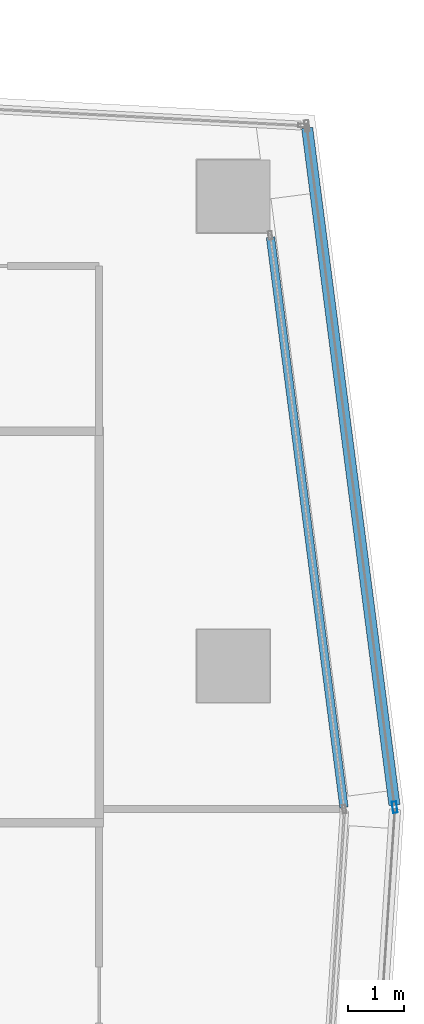
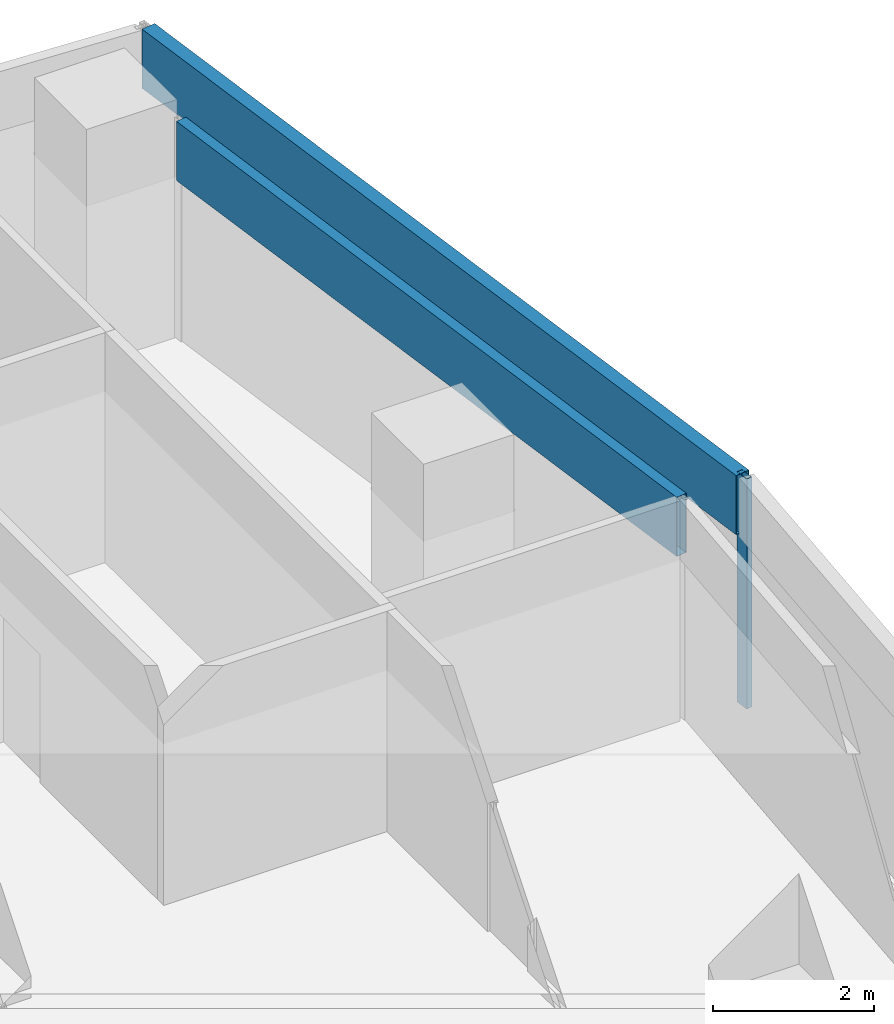
# One storey, part 14 of 30: 3 members, 2 elements without a shape of their own.
"""IFC4 building model written with IfcOpenShell, lengths in metres."""

from ifc_helpers import new_model, si_unit, direction, frame, origin, origin_2d, place, context, subcontext, project, spatial, hollow_rectangle, extrude, material, material_profile, profile_set, type_object, element, aggregate, save


model = new_model("IFC4")

# Units and contexts
model_context = context("Model", 3, precision=1e-05, world=origin(), true_north=direction((0.0, 1.0)))
body_context = subcontext(model_context, "Body", "Model", "MODEL_VIEW")
ifc_project = project(units=[si_unit("LENGTHUNIT", "METRE"), si_unit("AREAUNIT", "SQUARE_METRE"), si_unit("VOLUMEUNIT", "CUBIC_METRE"), si_unit("PLANEANGLEUNIT", "RADIAN"), si_unit("MASSUNIT", "GRAM", prefix="KILO")], contexts=[model_context])

# Site, building, storey
site_placement = place(None, origin())
site = spatial("IfcSite", under=ifc_project, at=site_placement, CompositionType="ELEMENT")
building_placement = place(site_placement, origin())
building = spatial("IfcBuilding", under=site, at=building_placement, Name="Rekha Terrace Tower", CompositionType="ELEMENT")
storey_placement = place(building_placement, frame((0.0, 0.0, 272.60009765625)))
storey = spatial("IfcBuildingStorey", under=building, at=storey_placement, Name="L69", CompositionType="ELEMENT", Elevation=272.60009765625)

# Curtain wall, member
ifc_material_1 = material(Name="Aluminium framing", Category="aluminium")
curtain_wall_type_1 = type_object("IfcCurtainWallType", Name="CW1 double skin inner glazing", PredefinedType="USERDEFINED", material=ifc_material_1)
curtain_wall_1_placement = place(storey_placement, origin())
curtain_wall_1 = element("IfcCurtainWall", 1, at=curtain_wall_1_placement, inside=storey, type_object=curtain_wall_type_1, Name="CW1 double skin inner glazing", ObjectType="DOUBLE SKIN INNER GLAZING", PredefinedType="USERDEFINED")
ifc_material_2 = material(Name="Insulated aluminium spandrel box", Category="aluminium")
ifc_material_profile_1 = material_profile(ifc_material_2, hollow_rectangle(XDim=0.14990234375, YDim=0.89990234375, WallThickness=0.0029296875, at=origin_2d()), Name="AL SPANDREL BOX 150x900")
ifc_profile_set_1 = profile_set([ifc_material_profile_1], Name="Insulated aluminium spandrel box")
member_type_1 = type_object("IfcMemberType", Name="CW1 spandrel transom 150 x 900", PredefinedType="USERDEFINED", material=ifc_profile_set_1)
member_1_placement = place(storey_placement, frame((60.777099609375, 39.471435546875, 3.0498046875), z_axis=(-0.127854523912, 0.991792932378, 0.0), x_axis=(-0.991792932378, -0.127854523912, 0.0)))
member_1 = element("IfcMember", 2, at=member_1_placement, type_object=member_type_1, Name="CW1 spandrel transom 1", ObjectType="TRANSOM", PredefinedType="USERDEFINED", context=body_context, shape_type="SweptSolid", body=[
    extrude(hollow_rectangle(XDim=0.14990234375, YDim=0.89990234375, WallThickness=0.0029296875, at=origin_2d()), origin(), (0.0, 0.0, 1.0), 10.279052734375),
])
aggregate(curtain_wall_1, [member_1])

# Curtain wall, members
curtain_wall_type_2 = type_object("IfcCurtainWallType", Name="CW2 double skin outer glazing", PredefinedType="USERDEFINED", material=ifc_material_1)
curtain_wall_2_placement = place(storey_placement, origin())
curtain_wall_2 = element("IfcCurtainWall", 3, at=curtain_wall_2_placement, inside=storey, type_object=curtain_wall_type_2, Name="CW2 double skin outer glazing", ObjectType="DOUBLE SKIN OUTER GLAZING", PredefinedType="USERDEFINED")
ifc_material_3 = material(Name="Aluminium mullion section", Category="aluminium")
ifc_material_profile_2 = material_profile(ifc_material_3, hollow_rectangle(XDim=0.080078125, YDim=0.199951171875, WallThickness=0.00390625, at=origin_2d()), Name="AL RHS 80x200")
ifc_profile_set_2 = profile_set([ifc_material_profile_2], Name="Aluminium mullion section")
member_type_2 = type_object("IfcMemberType", Name="CW2 mullion RHS 80 x 200", PredefinedType="MULLION", material=ifc_profile_set_2)
member_2_placement = place(storey_placement, frame((61.68408203125, 39.474609375, 0.0), z_axis=(0.0, 0.0, 1.0), x_axis=(-0.991790949459, -0.12786990487, 0.0)))
member_2 = element("IfcMember", 4, at=member_2_placement, type_object=member_type_2, Name="CW2 mullion 1", PredefinedType="MULLION", context=body_context, shape_type="SweptSolid", body=[
    extrude(hollow_rectangle(XDim=0.080078125, YDim=0.199951171875, WallThickness=0.00390625, at=origin_2d()), origin(), (0.0, 0.0, 1.0), 3.5),
])
ifc_material_profile_3 = material_profile(ifc_material_2, hollow_rectangle(XDim=0.199951171875, YDim=0.89990234375, WallThickness=0.0029296875, at=origin_2d()), Name="AL SPANDREL BOX 200x900")
ifc_profile_set_3 = profile_set([ifc_material_profile_3], Name="Insulated aluminium spandrel box")
member_type_3 = type_object("IfcMemberType", Name="CW2 spandrel transom 200 x 900", PredefinedType="USERDEFINED", material=ifc_profile_set_3)
member_3_placement = place(storey_placement, frame((61.67919921875, 39.514404296875, 3.0498046875), z_axis=(-0.127874852181, 0.991790311598, 0.0), x_axis=(-0.991790311598, -0.127874852181, 0.0)))
member_3 = element("IfcMember", 5, at=member_3_placement, type_object=member_type_3, Name="CW2 spandrel transom 1", ObjectType="TRANSOM", PredefinedType="USERDEFINED", context=body_context, shape_type="SweptSolid", body=[
    extrude(hollow_rectangle(XDim=0.199951171875, YDim=0.89990234375, WallThickness=0.0029296875, at=origin_2d()), origin(), (0.0, 0.0, 1.0), 12.20361328125),
])
aggregate(curtain_wall_2, [member_2, member_3])

save(model, "model.ifc")
